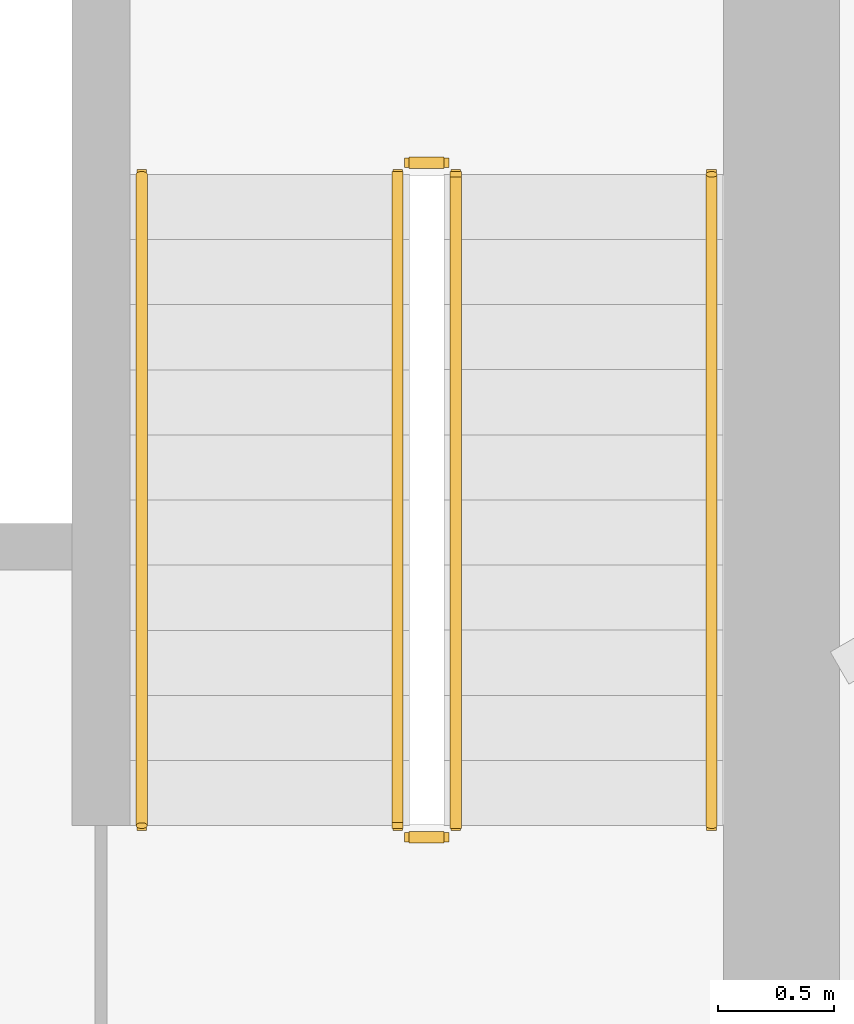
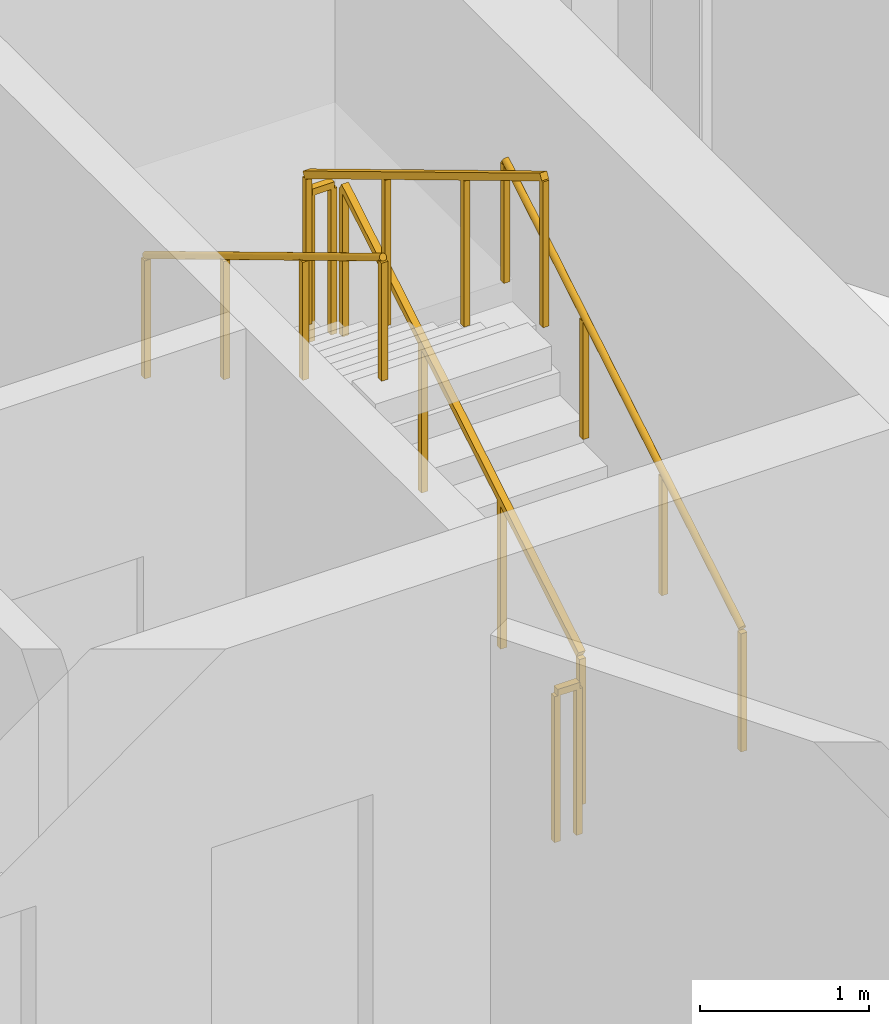
# One storey, part 12 of 12: 6 railings.
"""IFC4 building model written with IfcOpenShell, lengths in metres."""

from ifc_helpers import new_model, si_unit, direction, frame, origin, origin_2d, place, context, subcontext, project, spatial, rectangle, circle, extrude, material, type_object, element, save


model = new_model("IFC4")

# Units and contexts
model_context = context("Model", 3, precision=1e-05, world=origin(), true_north=direction((0.0, 1.0)))
body_context = subcontext(model_context, "Body", "Model", "MODEL_VIEW")
ifc_project = project(units=[si_unit("LENGTHUNIT", "METRE"), si_unit("AREAUNIT", "SQUARE_METRE"), si_unit("VOLUMEUNIT", "CUBIC_METRE"), si_unit("PLANEANGLEUNIT", "RADIAN"), si_unit("MASSUNIT", "GRAM", prefix="KILO")], contexts=[model_context])

# Site, building, storey
site_placement = place(None, origin())
site = spatial("IfcSite", under=ifc_project, at=site_placement, CompositionType="ELEMENT")
building_placement = place(site_placement, origin())
building = spatial("IfcBuilding", under=site, at=building_placement, Name="Apuvela Tower Hotel", CompositionType="ELEMENT")
storey_placement = place(building_placement, frame((0.0, 0.0, 294.800048828125)))
storey = spatial("IfcBuildingStorey", under=building, at=storey_placement, Name="L73", CompositionType="ELEMENT", Elevation=294.800048828125)

# Railings
ifc_material_1 = material(Name="Steel S275 balustrade", Category="steel")
railing_type_1 = type_object("IfcRailingType", Name="COR-GUARD-1100", PredefinedType="GUARDRAIL", material=ifc_material_1)
railing_1_placement = place(storey_placement, frame((3.85009765625, 14.60009765625, 0.168212890625)))
element("IfcRailing", 1, at=railing_1_placement, inside=storey, type_object=railing_type_1, Name="L73 ST1 stair guard 1", PredefinedType="GUARDRAIL", context=body_context, shape_type="SweptSolid", body=[
    extrude(rectangle(XDim=0.048095703125, YDim=0.048095703125, at=origin_2d()), frame((0.0, 0.0, 1.076171875), z_axis=(0.0, 0.857255387014, 0.514891446264), x_axis=(-1.0, 0.0, 0.0)), (0.0, 0.0, 1.0), 3.26611328125),
    extrude(rectangle(XDim=0.0419921875, YDim=0.0419921875, at=origin_2d()), origin(), (0.0, 0.0, 1.0), 1.052001953125),
    extrude(rectangle(XDim=0.0419921875, YDim=0.0419921875, at=origin_2d()), frame((0.0, 0.933349609375, 0.560546875)), (0.0, 0.0, 1.0), 1.052001953125),
    extrude(rectangle(XDim=0.0419921875, YDim=0.0419921875, at=origin_2d()), frame((0.0, 1.866455078125, 1.12109375)), (0.0, 0.0, 1.0), 1.052001953125),
    extrude(rectangle(XDim=0.0419921875, YDim=0.0419921875, at=origin_2d()), frame((0.0, 2.7998046875, 1.681640625)), (0.0, 0.0, 1.0), 1.052001953125),
])
railing_2_placement = place(storey_placement, frame((3.800048828125, 17.449951171875, 1.849853515625)))
element("IfcRailing", 2, at=railing_2_placement, inside=storey, type_object=railing_type_1, Name="L73 ST1 stair guard 2", PredefinedType="GUARDRAIL", context=body_context, shape_type="SweptSolid", body=[
    extrude(rectangle(XDim=0.048095703125, YDim=0.048095703125, at=origin_2d()), frame((0.0, 0.0, 1.076171875), z_axis=(-1.0, 0.0, 0.0), x_axis=(0.0, -1.0, 0.0)), (0.0, 0.0, 1.0), 0.150146484375),
    extrude(rectangle(XDim=0.0419921875, YDim=0.0419921875, at=origin_2d()), origin(), (0.0, 0.0, 1.0), 1.052001953125),
    extrude(rectangle(XDim=0.0419921875, YDim=0.0419921875, at=origin_2d()), frame((-0.150146484375, 0.0, 0.0)), (0.0, 0.0, 1.0), 1.052001953125),
])
railing_3_placement = place(storey_placement, frame((3.60009765625, 17.39990234375, 2.01806640625)))
element("IfcRailing", 3, at=railing_3_placement, inside=storey, type_object=railing_type_1, Name="L73 ST1 stair guard 3", PredefinedType="GUARDRAIL", context=body_context, shape_type="SweptSolid", body=[
    extrude(rectangle(XDim=0.048095703125, YDim=0.048095703125, at=origin_2d()), frame((0.0, 0.0, 1.076171875), z_axis=(0.0, -0.857222391501, 0.514946377315), x_axis=(1.0, 0.0, 0.0)), (0.0, 0.0, 1.0), 3.26611328125),
    extrude(rectangle(XDim=0.0419921875, YDim=0.0419921875, at=origin_2d()), origin(), (0.0, 0.0, 1.0), 1.052001953125),
    extrude(rectangle(XDim=0.0419921875, YDim=0.0419921875, at=origin_2d()), frame((0.0, -0.933349609375, 0.560546875)), (0.0, 0.0, 1.0), 1.052001953125),
    extrude(rectangle(XDim=0.0419921875, YDim=0.0419921875, at=origin_2d()), frame((0.0, -1.866455078125, 1.121337890625)), (0.0, 0.0, 1.0), 1.052001953125),
    extrude(rectangle(XDim=0.0419921875, YDim=0.0419921875, at=origin_2d()), frame((0.0, -2.7998046875, 1.681884765625)), (0.0, 0.0, 1.0), 1.052001953125),
])
railing_4_placement = place(storey_placement, frame((3.800048828125, 14.550048828125, 0.0)))
element("IfcRailing", 4, at=railing_4_placement, inside=storey, type_object=railing_type_1, Name="L73 ST1 stair guard 4", PredefinedType="GUARDRAIL", context=body_context, shape_type="SweptSolid", body=[
    extrude(rectangle(XDim=0.048095703125, YDim=0.048095703125, at=origin_2d()), frame((0.0, 0.0, 1.076171875), z_axis=(-1.0, 0.0, 0.0), x_axis=(0.0, -1.0, 0.0)), (0.0, 0.0, 1.0), 0.150146484375),
    extrude(rectangle(XDim=0.0419921875, YDim=0.0419921875, at=origin_2d()), origin(), (0.0, 0.0, 1.0), 1.052001953125),
    extrude(rectangle(XDim=0.0419921875, YDim=0.0419921875, at=origin_2d()), frame((-0.150146484375, 0.0, 0.0)), (0.0, 0.0, 1.0), 1.052001953125),
])
ifc_material_2 = material(Name="Stainless steel 316 handrail", Category="steel")
railing_type_2 = type_object("IfcRailingType", Name="COR-HANDRAIL-900", PredefinedType="HANDRAIL", material=ifc_material_2)
railing_5_placement = place(storey_placement, frame((4.949951171875, 14.60009765625, 0.168212890625)))
element("IfcRailing", 5, at=railing_5_placement, inside=storey, type_object=railing_type_2, Name="L73 ST1 stair handrail 1", PredefinedType="HANDRAIL", context=body_context, shape_type="SweptSolid", body=[
    extrude(circle(Radius=0.02392578125, at=origin_2d()), frame((0.0, 0.0, 0.8759765625), z_axis=(0.0, 0.857255387014, 0.514891446264), x_axis=(-1.0, 0.0, 0.0)), (0.0, 0.0, 1.0), 3.26611328125),
    extrude(rectangle(XDim=0.0419921875, YDim=0.0419921875, at=origin_2d()), origin(), (0.0, 0.0, 1.0), 0.851806640625),
    extrude(rectangle(XDim=0.0419921875, YDim=0.0419921875, at=origin_2d()), frame((0.0, 0.933349609375, 0.560546875)), (0.0, 0.0, 1.0), 0.851806640625),
    extrude(rectangle(XDim=0.0419921875, YDim=0.0419921875, at=origin_2d()), frame((0.0, 1.866455078125, 1.12109375)), (0.0, 0.0, 1.0), 0.851806640625),
    extrude(rectangle(XDim=0.0419921875, YDim=0.0419921875, at=origin_2d()), frame((0.0, 2.7998046875, 1.681640625)), (0.0, 0.0, 1.0), 0.851806640625),
])
railing_6_placement = place(storey_placement, frame((2.5, 17.39990234375, 2.01806640625)))
element("IfcRailing", 6, at=railing_6_placement, inside=storey, type_object=railing_type_2, Name="L73 ST1 stair handrail 2", PredefinedType="HANDRAIL", context=body_context, shape_type="SweptSolid", body=[
    extrude(circle(Radius=0.02392578125, at=origin_2d()), frame((0.0, 0.0, 0.8759765625), z_axis=(0.0, -0.857222391501, 0.514946377315), x_axis=(1.0, 0.0, 0.0)), (0.0, 0.0, 1.0), 3.26611328125),
    extrude(rectangle(XDim=0.0419921875, YDim=0.0419921875, at=origin_2d()), origin(), (0.0, 0.0, 1.0), 0.851806640625),
    extrude(rectangle(XDim=0.0419921875, YDim=0.0419921875, at=origin_2d()), frame((0.0, -0.933349609375, 0.560546875)), (0.0, 0.0, 1.0), 0.851806640625),
    extrude(rectangle(XDim=0.0419921875, YDim=0.0419921875, at=origin_2d()), frame((0.0, -1.866455078125, 1.121337890625)), (0.0, 0.0, 1.0), 0.851806640625),
    extrude(rectangle(XDim=0.0419921875, YDim=0.0419921875, at=origin_2d()), frame((0.0, -2.7998046875, 1.681884765625)), (0.0, 0.0, 1.0), 0.851806640625),
])

save(model, "model.ifc")
